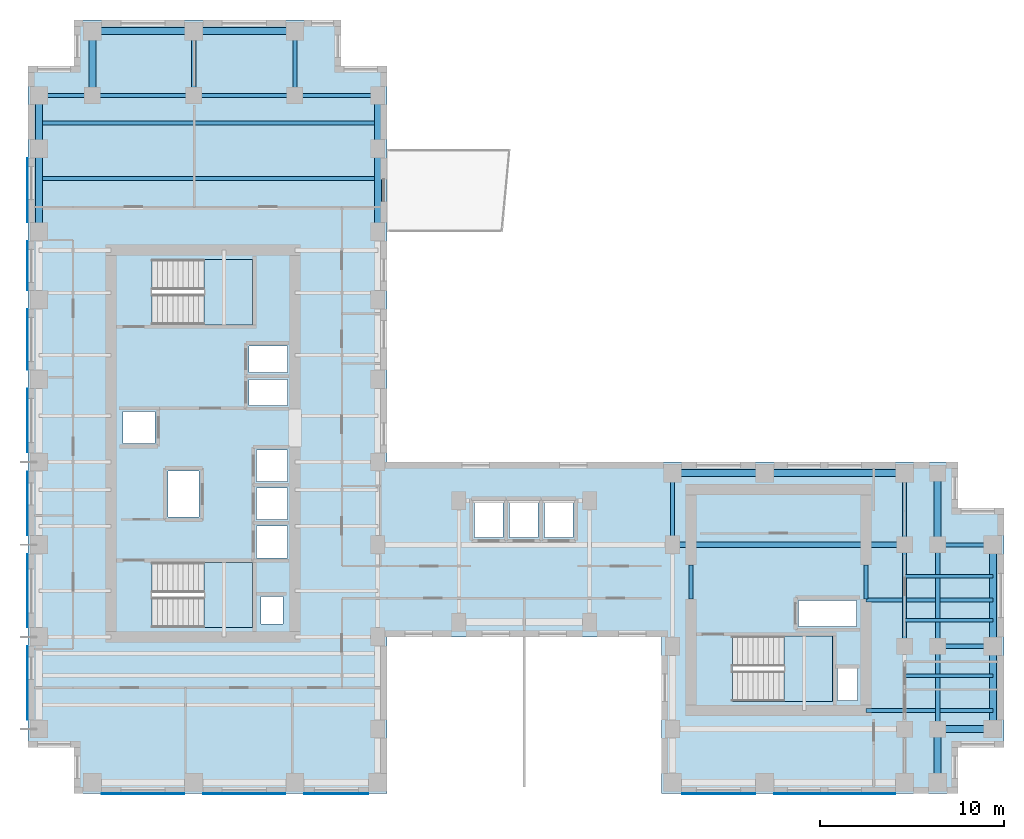
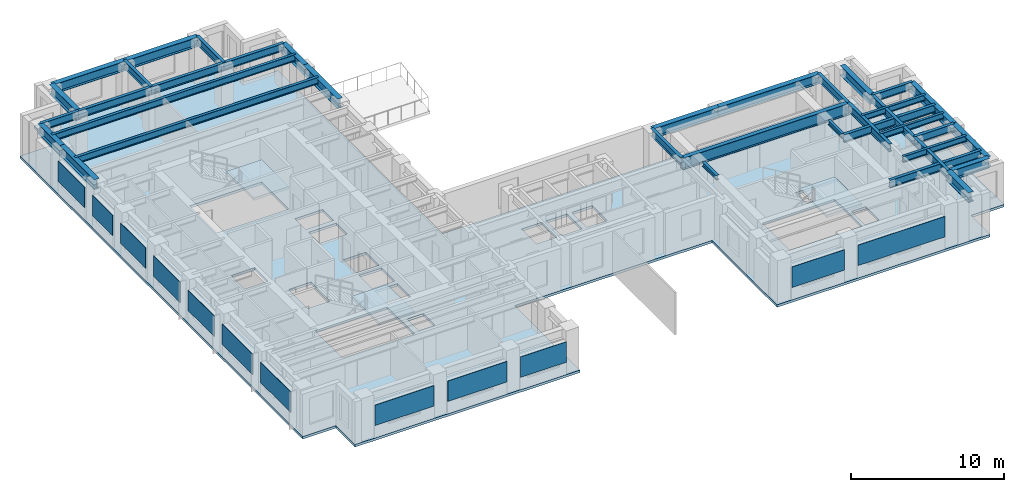
# One storey, part 2 of 10: 37 beams, 12 plates, 4 slabs, 3 elements without a shape of their own.
"""IFC4 building model written with IfcOpenShell, lengths in metres."""

from ifc_helpers import new_model, si_unit, direction, frame, origin, origin_2d, place, context, subcontext, project, spatial, polyline, rectangle, i_section, outline, extrude, source, transform, mapped, material, layer, layer_set, material_profile, profile_set, type_object, element, aggregate, save


model = new_model("IFC4")

# Units and contexts
model_context = context("Model", 3, precision=1e-05, world=origin(), true_north=direction((0.0, 1.0)))
body_context = subcontext(model_context, "Body", "Model", "MODEL_VIEW")
ifc_project = project(units=[si_unit("LENGTHUNIT", "METRE"), si_unit("AREAUNIT", "SQUARE_METRE"), si_unit("VOLUMEUNIT", "CUBIC_METRE"), si_unit("PLANEANGLEUNIT", "RADIAN"), si_unit("MASSUNIT", "GRAM", prefix="KILO")], contexts=[model_context])

# Site, building, storey
site_placement = place(None, origin())
site = spatial("IfcSite", under=ifc_project, at=site_placement, CompositionType="ELEMENT")
building_placement = place(site_placement, origin())
building = spatial("IfcBuilding", under=site, at=building_placement, Name="Kharzan Plaza Tower", CompositionType="ELEMENT")
storey_placement = place(building_placement, frame((0.0, 0.0, 157.5)))
storey = spatial("IfcBuildingStorey", under=building, at=storey_placement, Name="L42", CompositionType="ELEMENT", Elevation=157.5)

# Beams
ifc_material_1 = material(Name="Steel S355", Category="steel")
ifc_material_profile_1 = material_profile(ifc_material_1, i_section(OverallWidth=0.205078125, OverallDepth=0.35400390625, WebThickness=0.009521484375, FlangeThickness=0.016845703125, at=origin_2d()), Name="W360x79")
ifc_profile_set_1 = profile_set([ifc_material_profile_1], Name="Steel S355")
beam_type_1 = type_object("IfcBeamType", Name="BM-LNT360", PredefinedType="LINTEL", material=ifc_profile_set_1)
shared_shape_1 = source(origin(), body_context, "Body", "SweptSolid", [
    extrude(i_section(OverallWidth=0.205078125, OverallDepth=0.35400390625, WebThickness=0.009521484375, FlangeThickness=0.016845703125, at=origin_2d()), origin(), (0.0, 0.0, 1.0), 1.849853515625),
])
for number, where, z_axis, x_axis, name in (
    (1, (45.5, 10.550048828125, 3.222900390625), (0.0, 1.0, 0.0), (-1.0, 0.0, 0.0), "L42 CORE-B coupling lintel LN1-WE"),
    (2, (36.0, 10.550048828125, 3.222900390625), (0.0, 1.0, 0.0), (-1.0, 0.0, 0.0), "L42 CORE-B coupling lintel LN1-WW"),
):
    element("IfcBeam", number, at=place(storey_placement, frame(where, z_axis=z_axis, x_axis=x_axis)), inside=storey, type_object=beam_type_1, Name=name, PredefinedType="LINTEL", context=body_context, shape_type="MappedRepresentation", body=[
        mapped(shared_shape_1, transform((0.0, 0.0, 0.0), x_axis=(1.0, 0.0, 0.0), y_axis=(0.0, 1.0, 0.0), z_axis=(0.0, 0.0, 1.0))),
    ])
ifc_material_profile_2 = material_profile(ifc_material_1, i_section(OverallWidth=0.304931640625, OverallDepth=0.9189453125, WebThickness=0.017333984375, FlangeThickness=0.02783203125, at=origin_2d()), Name="W920x253")
ifc_profile_set_2 = profile_set([ifc_material_profile_2], Name="Steel S355")
beam_type_2 = type_object("IfcBeamType", Name="BM-FG920B", PredefinedType="BEAM", material=ifc_profile_set_2)
shared_shape_2 = source(origin(), body_context, "Body", "SweptSolid", [
    extrude(i_section(OverallWidth=0.304931640625, OverallDepth=0.9189453125, WebThickness=0.017333984375, FlangeThickness=0.02783203125, at=origin_2d()), origin(), (0.0, 0.0, 1.0), 12.60009765625),
])
beam_1_placement = place(storey_placement, frame((35.0, 13.5, 2.9404296875), z_axis=(1.0, 0.0, 0.0), x_axis=(0.0, 1.0, 0.0)))
element("IfcBeam", 3, at=beam_1_placement, inside=storey, type_object=beam_type_2, Name="L42 Primary Floor Girder", PredefinedType="BEAM", context=body_context, shape_type="MappedRepresentation", body=[
    mapped(shared_shape_2, transform((0.0, 0.0, 0.0), x_axis=(1.0, 0.0, 0.0), y_axis=(0.0, 1.0, 0.0), z_axis=(0.0, 0.0, 1.0))),
])
ifc_material_profile_3 = material_profile(ifc_material_1, i_section(OverallWidth=0.2099609375, OverallDepth=0.537109375, WebThickness=0.010986328125, FlangeThickness=0.017333984375, at=origin_2d()), Name="W530x101")
ifc_profile_set_3 = profile_set([ifc_material_profile_3], Name="Steel S355")
beam_type_3 = type_object("IfcBeamType", Name="BM-JST530B", PredefinedType="JOIST", material=ifc_profile_set_3)
shared_shape_3 = source(origin(), body_context, "Body", "SweptSolid", [
    extrude(i_section(OverallWidth=0.2099609375, OverallDepth=0.537109375, WebThickness=0.010986328125, FlangeThickness=0.017333984375, at=origin_2d()), origin(), (0.0, 0.0, 1.0), 18.39990234375),
])
for number, where, z_axis, x_axis, name in (
    (4, (0.60009765625, 33.39990234375, 3.131591796875), (1.0, 0.0, 0.0), (0.0, 1.0, 0.0), "L42 Wing A Composite Joist 05"),
    (5, (0.60009765625, 36.39990234375, 3.131591796875), (1.0, 0.0, 0.0), (0.0, 1.0, 0.0), "L42 Wing A Composite Joist 06"),
):
    element("IfcBeam", number, at=place(storey_placement, frame(where, z_axis=z_axis, x_axis=x_axis)), inside=storey, type_object=beam_type_3, Name=name, PredefinedType="JOIST", context=body_context, shape_type="MappedRepresentation", body=[
        mapped(shared_shape_3, transform((0.0, 0.0, 0.0), x_axis=(1.0, 0.0, 0.0), y_axis=(0.0, 1.0, 0.0), z_axis=(0.0, 0.0, 1.0))),
    ])
ifc_material_profile_4 = material_profile(ifc_material_1, i_section(OverallWidth=0.22900390625, OverallDepth=0.612060546875, WebThickness=0.011962890625, FlangeThickness=0.01953125, at=origin_2d()), Name="W610x125")
ifc_profile_set_4 = profile_set([ifc_material_profile_4], Name="Steel S355")
beam_type_4 = type_object("IfcBeamType", Name="BM-FG610B", PredefinedType="BEAM", material=ifc_profile_set_4)
shared_shape_4 = source(origin(), body_context, "Body", "SweptSolid", [
    extrude(i_section(OverallWidth=0.22900390625, OverallDepth=0.612060546875, WebThickness=0.011962890625, FlangeThickness=0.01953125, at=origin_2d()), origin(), (0.0, 0.0, 1.0), 4.5),
])
for number, where, z_axis, x_axis, name in (
    (6, (49.39990234375, 3.5, 3.093994140625), (0.0, 1.0, 0.0), (-1.0, 0.0, 0.0), "L42 Interior Frame Girder"),
    (7, (14.5, 37.89990234375, 3.093994140625), (1.0, 0.0, 0.0), (0.0, 1.0, 0.0), "L42 Primary Floor Girder"),
):
    element("IfcBeam", number, at=place(storey_placement, frame(where, z_axis=z_axis, x_axis=x_axis)), inside=storey, type_object=beam_type_4, Name=name, PredefinedType="BEAM", context=body_context, shape_type="MappedRepresentation", body=[
        mapped(shared_shape_4, transform((0.0, 0.0, 0.0), x_axis=(1.0, 0.0, 0.0), y_axis=(0.0, 1.0, 0.0), z_axis=(0.0, 0.0, 1.0))),
    ])
shared_shape_5 = source(origin(), body_context, "Body", "SweptSolid", [
    extrude(i_section(OverallWidth=0.22900390625, OverallDepth=0.612060546875, WebThickness=0.011962890625, FlangeThickness=0.01953125, at=origin_2d()), origin(), (0.0, 0.0, 1.0), 3.89990234375),
])
for number, where, z_axis, x_axis, name in (
    (8, (35.0, 13.5, 3.093994140625), (0.0, 1.0, 0.0), (-1.0, 0.0, 0.0), "L42 Interior Frame Girder"),
    (9, (47.60009765625, 13.5, 3.093994140625), (0.0, 1.0, 0.0), (-1.0, 0.0, 0.0), "L42 Interior Frame Girder"),
):
    element("IfcBeam", number, at=place(storey_placement, frame(where, z_axis=z_axis, x_axis=x_axis)), inside=storey, type_object=beam_type_4, Name=name, PredefinedType="BEAM", context=body_context, shape_type="MappedRepresentation", body=[
        mapped(shared_shape_5, transform((0.0, 0.0, 0.0), x_axis=(1.0, 0.0, 0.0), y_axis=(0.0, 1.0, 0.0), z_axis=(0.0, 0.0, 1.0))),
    ])
shared_shape_6 = source(origin(), body_context, "Body", "SweptSolid", [
    extrude(i_section(OverallWidth=0.22900390625, OverallDepth=0.612060546875, WebThickness=0.011962890625, FlangeThickness=0.01953125, at=origin_2d()), origin(), (0.0, 0.0, 1.0), 6.89990234375),
])
for number, where, z_axis, x_axis, name in (
    (10, (45.5, 4.5, 3.093994140625), (1.0, 0.0, 0.0), (0.0, 1.0, 0.0), "L42 Core-B East Floor Girder 1"),
    (11, (45.5, 10.5, 3.093994140625), (1.0, 0.0, 0.0), (0.0, 1.0, 0.0), "L42 Core-B East Floor Girder 2"),
):
    element("IfcBeam", number, at=place(storey_placement, frame(where, z_axis=z_axis, x_axis=x_axis)), inside=storey, type_object=beam_type_4, Name=name, PredefinedType="BEAM", context=body_context, shape_type="MappedRepresentation", body=[
        mapped(shared_shape_6, transform((0.0, 0.0, 0.0), x_axis=(1.0, 0.0, 0.0), y_axis=(0.0, 1.0, 0.0), z_axis=(0.0, 0.0, 1.0))),
    ])
shared_shape_7 = source(origin(), body_context, "Body", "SweptSolid", [
    extrude(i_section(OverallWidth=0.22900390625, OverallDepth=0.612060546875, WebThickness=0.011962890625, FlangeThickness=0.01953125, at=origin_2d()), origin(), (0.0, 0.0, 1.0), 3.5),
])
for number, where, z_axis, x_axis, name in (
    (12, (9.0, 37.89990234375, 3.093994140625), (0.0, 1.0, 0.0), (-1.0, 0.0, 0.0), "L42 Interior Frame Girder"),
    (13, (14.5, 37.89990234375, 3.093994140625), (0.0, 1.0, 0.0), (-1.0, 0.0, 0.0), "L42 Interior Frame Girder"),
):
    element("IfcBeam", number, at=place(storey_placement, frame(where, z_axis=z_axis, x_axis=x_axis)), inside=storey, type_object=beam_type_4, Name=name, PredefinedType="BEAM", context=body_context, shape_type="MappedRepresentation", body=[
        mapped(shared_shape_7, transform((0.0, 0.0, 0.0), x_axis=(1.0, 0.0, 0.0), y_axis=(0.0, 1.0, 0.0), z_axis=(0.0, 0.0, 1.0))),
    ])
shared_shape_8 = source(origin(), body_context, "Body", "SweptSolid", [
    extrude(i_section(OverallWidth=0.22900390625, OverallDepth=0.612060546875, WebThickness=0.011962890625, FlangeThickness=0.01953125, at=origin_2d()), origin(), (0.0, 0.0, 1.0), 5.5),
])
for number, where, z_axis, x_axis, name in (
    (14, (47.60009765625, 8.0, 3.093994140625), (0.0, 1.0, 0.0), (-1.0, 0.0, 0.0), "L42 Interior Frame Girder"),
    (15, (49.39990234375, 8.0, 3.093994140625), (0.0, 1.0, 0.0), (-1.0, 0.0, 0.0), "L42 Interior Frame Girder"),
    (16, (3.5, 37.89990234375, 3.093994140625), (1.0, 0.0, 0.0), (0.0, 1.0, 0.0), "L42 Primary Floor Girder"),
    (17, (9.0, 37.89990234375, 3.093994140625), (1.0, 0.0, 0.0), (0.0, 1.0, 0.0), "L42 Primary Floor Girder"),
):
    element("IfcBeam", number, at=place(storey_placement, frame(where, z_axis=z_axis, x_axis=x_axis)), inside=storey, type_object=beam_type_4, Name=name, PredefinedType="BEAM", context=body_context, shape_type="MappedRepresentation", body=[
        mapped(shared_shape_8, transform((0.0, 0.0, 0.0), x_axis=(1.0, 0.0, 0.0), y_axis=(0.0, 1.0, 0.0), z_axis=(0.0, 0.0, 1.0))),
    ])
shared_shape_9 = source(origin(), body_context, "Body", "SweptSolid", [
    extrude(i_section(OverallWidth=0.22900390625, OverallDepth=0.612060546875, WebThickness=0.011962890625, FlangeThickness=0.01953125, at=origin_2d()), origin(), (0.0, 0.0, 1.0), 2.89990234375),
])
beam_2_placement = place(storey_placement, frame((0.60009765625, 37.89990234375, 3.093994140625), z_axis=(1.0, 0.0, 0.0), x_axis=(0.0, 1.0, 0.0)))
element("IfcBeam", 18, at=beam_2_placement, inside=storey, type_object=beam_type_4, Name="L42 Primary Floor Girder", PredefinedType="BEAM", context=body_context, shape_type="MappedRepresentation", body=[
    mapped(shared_shape_9, transform((0.0, 0.0, 0.0), x_axis=(1.0, 0.0, 0.0), y_axis=(0.0, 1.0, 0.0), z_axis=(0.0, 0.0, 1.0))),
])
shared_shape_10 = source(origin(), body_context, "Body", "SweptSolid", [
    extrude(i_section(OverallWidth=0.22900390625, OverallDepth=0.612060546875, WebThickness=0.011962890625, FlangeThickness=0.01953125, at=origin_2d()), origin(), (0.0, 0.0, 1.0), 3.0),
])
for number, where, z_axis, x_axis, name in (
    (19, (49.39990234375, 8.0, 3.093994140625), (1.0, 0.0, 0.0), (0.0, 1.0, 0.0), "L42 Primary Floor Girder"),
    (20, (49.39990234375, 13.5, 3.093994140625), (1.0, 0.0, 0.0), (0.0, 1.0, 0.0), "L42 Primary Floor Girder"),
):
    element("IfcBeam", number, at=place(storey_placement, frame(where, z_axis=z_axis, x_axis=x_axis)), inside=storey, type_object=beam_type_4, Name=name, PredefinedType="BEAM", context=body_context, shape_type="MappedRepresentation", body=[
        mapped(shared_shape_10, transform((0.0, 0.0, 0.0), x_axis=(1.0, 0.0, 0.0), y_axis=(0.0, 1.0, 0.0), z_axis=(0.0, 0.0, 1.0))),
    ])
ifc_material_profile_5 = material_profile(ifc_material_1, i_section(OverallWidth=0.194091796875, OverallDepth=0.468994140625, WebThickness=0.011474609375, FlangeThickness=0.0205078125, at=origin_2d()), Name="W460x106")
ifc_profile_set_5 = profile_set([ifc_material_profile_5], Name="Steel S355")
beam_type_5 = type_object("IfcBeamType", Name="BM-JST460", PredefinedType="JOIST", material=ifc_profile_set_5)
shared_shape_11 = source(origin(), body_context, "Body", "SweptSolid", [
    extrude(i_section(OverallWidth=0.194091796875, OverallDepth=0.468994140625, WebThickness=0.011474609375, FlangeThickness=0.0205078125, at=origin_2d()), origin(), (0.0, 0.0, 1.0), 4.7998046875),
])
for number, where, z_axis, x_axis, name in (
    (21, (47.60009765625, 6.39990234375, 3.16552734375), (1.0, 0.0, 0.0), (0.0, 1.0, 0.0), "L42 Wing B Composite Joist 02"),
    (22, (47.60009765625, 9.39990234375, 3.16552734375), (1.0, 0.0, 0.0), (0.0, 1.0, 0.0), "L42 Wing B Composite Joist 03"),
    (23, (47.60009765625, 11.800048828125, 3.16552734375), (1.0, 0.0, 0.0), (0.0, 1.0, 0.0), "L42 Wing B Composite Joist 04"),
):
    element("IfcBeam", number, at=place(storey_placement, frame(where, z_axis=z_axis, x_axis=x_axis)), inside=storey, type_object=beam_type_5, Name=name, PredefinedType="JOIST", context=body_context, shape_type="MappedRepresentation", body=[
        mapped(shared_shape_11, transform((0.0, 0.0, 0.0), x_axis=(1.0, 0.0, 0.0), y_axis=(0.0, 1.0, 0.0), z_axis=(0.0, 0.0, 1.0))),
    ])
ifc_material_profile_6 = material_profile(ifc_material_1, i_section(OverallWidth=0.381103515625, OverallDepth=0.77294921875, WebThickness=0.0166015625, FlangeThickness=0.027587890625, at=origin_2d()), Name="W760x257")
ifc_profile_set_6 = profile_set([ifc_material_profile_6], Name="Steel S355")
beam_type_6 = type_object("IfcBeamType", Name="BM-SP760A", PredefinedType="SPANDREL", material=ifc_profile_set_6)
shared_shape_12 = source(origin(), body_context, "Body", "SweptSolid", [
    extrude(i_section(OverallWidth=0.381103515625, OverallDepth=0.77294921875, WebThickness=0.0166015625, FlangeThickness=0.027587890625, at=origin_2d()), origin(), (0.0, 0.0, 1.0), 5.0),
])
beam_3_placement = place(storey_placement, frame((35.0, 17.39990234375, 3.013427734375), z_axis=(1.0, 0.0, 0.0), x_axis=(0.0, 1.0, 0.0)))
element("IfcBeam", 24, at=beam_3_placement, inside=storey, type_object=beam_type_6, Name="L42 Perimeter Tube Spandrel", PredefinedType="SPANDREL", context=body_context, shape_type="MappedRepresentation", body=[
    mapped(shared_shape_12, transform((0.0, 0.0, 0.0), x_axis=(1.0, 0.0, 0.0), y_axis=(0.0, 1.0, 0.0), z_axis=(0.0, 0.0, 1.0))),
])
shared_shape_13 = source(origin(), body_context, "Body", "SweptSolid", [
    extrude(i_section(OverallWidth=0.381103515625, OverallDepth=0.77294921875, WebThickness=0.0166015625, FlangeThickness=0.027587890625, at=origin_2d()), origin(), (0.0, 0.0, 1.0), 4.5),
])
for number, where, z_axis, x_axis, name in (
    (25, (0.60009765625, 30.5, 3.013427734375), (0.0, 1.0, 0.0), (-1.0, 0.0, 0.0), "L42 Perimeter Tube Spandrel"),
    (26, (19.0, 30.5, 3.013427734375), (0.0, 1.0, 0.0), (-1.0, 0.0, 0.0), "L42 Perimeter Tube Spandrel"),
    (27, (52.39990234375, 3.5, 3.013427734375), (0.0, 1.0, 0.0), (-1.0, 0.0, 0.0), "L42 Perimeter Tube Spandrel"),
):
    element("IfcBeam", number, at=place(storey_placement, frame(where, z_axis=z_axis, x_axis=x_axis)), inside=storey, type_object=beam_type_6, Name=name, PredefinedType="SPANDREL", context=body_context, shape_type="MappedRepresentation", body=[
        mapped(shared_shape_13, transform((0.0, 0.0, 0.0), x_axis=(1.0, 0.0, 0.0), y_axis=(0.0, 1.0, 0.0), z_axis=(0.0, 0.0, 1.0))),
    ])
shared_shape_14 = source(origin(), body_context, "Body", "SweptSolid", [
    extrude(i_section(OverallWidth=0.381103515625, OverallDepth=0.77294921875, WebThickness=0.0166015625, FlangeThickness=0.027587890625, at=origin_2d()), origin(), (0.0, 0.0, 1.0), 2.89990234375),
])
for number, where, z_axis, x_axis, name in (
    (28, (0.60009765625, 35.0, 3.013427734375), (0.0, 1.0, 0.0), (-1.0, 0.0, 0.0), "L42 Perimeter Tube Spandrel"),
    (29, (19.0, 35.0, 3.013427734375), (0.0, 1.0, 0.0), (-1.0, 0.0, 0.0), "L42 Perimeter Tube Spandrel"),
    (30, (49.39990234375, 0.60009765625, 3.013427734375), (0.0, 1.0, 0.0), (-1.0, 0.0, 0.0), "L42 Perimeter Tube Spandrel"),
):
    element("IfcBeam", number, at=place(storey_placement, frame(where, z_axis=z_axis, x_axis=x_axis)), inside=storey, type_object=beam_type_6, Name=name, PredefinedType="SPANDREL", context=body_context, shape_type="MappedRepresentation", body=[
        mapped(shared_shape_14, transform((0.0, 0.0, 0.0), x_axis=(1.0, 0.0, 0.0), y_axis=(0.0, 1.0, 0.0), z_axis=(0.0, 0.0, 1.0))),
    ])
shared_shape_15 = source(origin(), body_context, "Body", "SweptSolid", [
    extrude(i_section(OverallWidth=0.381103515625, OverallDepth=0.77294921875, WebThickness=0.0166015625, FlangeThickness=0.027587890625, at=origin_2d()), origin(), (0.0, 0.0, 1.0), 3.5),
])
beam_4_placement = place(storey_placement, frame((3.5, 37.89990234375, 3.013427734375), z_axis=(0.0, 1.0, 0.0), x_axis=(-1.0, 0.0, 0.0)))
element("IfcBeam", 31, at=beam_4_placement, inside=storey, type_object=beam_type_6, Name="L42 Perimeter Tube Spandrel", PredefinedType="SPANDREL", context=body_context, shape_type="MappedRepresentation", body=[
    mapped(shared_shape_15, transform((0.0, 0.0, 0.0), x_axis=(1.0, 0.0, 0.0), y_axis=(0.0, 1.0, 0.0), z_axis=(0.0, 0.0, 1.0))),
])
shared_shape_16 = source(origin(), body_context, "Body", "SweptSolid", [
    extrude(i_section(OverallWidth=0.381103515625, OverallDepth=0.77294921875, WebThickness=0.0166015625, FlangeThickness=0.027587890625, at=origin_2d()), origin(), (0.0, 0.0, 1.0), 3.89990234375),
])
beam_5_placement = place(storey_placement, frame((49.39990234375, 13.5, 3.013427734375), z_axis=(0.0, 1.0, 0.0), x_axis=(-1.0, 0.0, 0.0)))
element("IfcBeam", 32, at=beam_5_placement, inside=storey, type_object=beam_type_6, Name="L42 Perimeter Tube Spandrel", PredefinedType="SPANDREL", context=body_context, shape_type="MappedRepresentation", body=[
    mapped(shared_shape_16, transform((0.0, 0.0, 0.0), x_axis=(1.0, 0.0, 0.0), y_axis=(0.0, 1.0, 0.0), z_axis=(0.0, 0.0, 1.0))),
])
shared_shape_17 = source(origin(), body_context, "Body", "SweptSolid", [
    extrude(i_section(OverallWidth=0.381103515625, OverallDepth=0.77294921875, WebThickness=0.0166015625, FlangeThickness=0.027587890625, at=origin_2d()), origin(), (0.0, 0.0, 1.0), 5.5),
])
for number, where, z_axis, x_axis, name in (
    (33, (52.39990234375, 8.0, 3.013427734375), (0.0, 1.0, 0.0), (-1.0, 0.0, 0.0), "L42 Perimeter Tube Spandrel"),
    (34, (3.5, 41.39990234375, 3.013427734375), (1.0, 0.0, 0.0), (0.0, 1.0, 0.0), "L42 Perimeter Tube Spandrel"),
    (35, (9.0, 41.39990234375, 3.013427734375), (1.0, 0.0, 0.0), (0.0, 1.0, 0.0), "L42 Perimeter Tube Spandrel"),
):
    element("IfcBeam", number, at=place(storey_placement, frame(where, z_axis=z_axis, x_axis=x_axis)), inside=storey, type_object=beam_type_6, Name=name, PredefinedType="SPANDREL", context=body_context, shape_type="MappedRepresentation", body=[
        mapped(shared_shape_17, transform((0.0, 0.0, 0.0), x_axis=(1.0, 0.0, 0.0), y_axis=(0.0, 1.0, 0.0), z_axis=(0.0, 0.0, 1.0))),
    ])
shared_shape_18 = source(origin(), body_context, "Body", "SweptSolid", [
    extrude(i_section(OverallWidth=0.381103515625, OverallDepth=0.77294921875, WebThickness=0.0166015625, FlangeThickness=0.027587890625, at=origin_2d()), origin(), (0.0, 0.0, 1.0), 7.60009765625),
])
beam_6_placement = place(storey_placement, frame((40.0, 17.39990234375, 3.013427734375), z_axis=(1.0, 0.0, 0.0), x_axis=(0.0, 1.0, 0.0)))
element("IfcBeam", 36, at=beam_6_placement, inside=storey, type_object=beam_type_6, Name="L42 Perimeter Tube Spandrel", PredefinedType="SPANDREL", context=body_context, shape_type="MappedRepresentation", body=[
    mapped(shared_shape_18, transform((0.0, 0.0, 0.0), x_axis=(1.0, 0.0, 0.0), y_axis=(0.0, 1.0, 0.0), z_axis=(0.0, 0.0, 1.0))),
])
shared_shape_19 = source(origin(), body_context, "Body", "SweptSolid", [
    extrude(i_section(OverallWidth=0.381103515625, OverallDepth=0.77294921875, WebThickness=0.0166015625, FlangeThickness=0.027587890625, at=origin_2d()), origin(), (0.0, 0.0, 1.0), 3.0),
])
beam_7_placement = place(storey_placement, frame((49.39990234375, 3.5, 3.013427734375), z_axis=(1.0, 0.0, 0.0), x_axis=(0.0, 1.0, 0.0)))
element("IfcBeam", 37, at=beam_7_placement, inside=storey, type_object=beam_type_6, Name="L42 Perimeter Tube Spandrel", PredefinedType="SPANDREL", context=body_context, shape_type="MappedRepresentation", body=[
    mapped(shared_shape_19, transform((0.0, 0.0, 0.0), x_axis=(1.0, 0.0, 0.0), y_axis=(0.0, 1.0, 0.0), z_axis=(0.0, 0.0, 1.0))),
])

# Slab
ifc_material_2 = material(Name="Concrete C40/50", Category="concrete")
ifc_layer_1 = layer(ifc_material_2, 0.199951171875)
ifc_layer_set_1 = layer_set([ifc_layer_1], Name="Concrete C40/50")
slab_type_1 = type_object("IfcSlabType", Name="SL-FLOOR-200", PredefinedType="FLOOR", material=ifc_layer_set_1)
slab_1_placement = place(storey_placement, frame((0.0, 0.0, -0.199951171875)))
element("IfcSlab", 38, at=slab_1_placement, inside=storey, type_object=slab_type_1, Name="L42 Composite Structural Floor Slab 200 mm", PredefinedType="FLOOR", context=body_context, shape_type="SweptSolid", body=[
    extrude(outline(polyline([(34.39990234375, 18.0), (19.5, 18.0), (19.5, 39.5), (17.0, 39.5), (17.0, 42.0), (2.5, 42.0), (2.5, 39.5), (0.0, 39.5), (0.0, 2.5), (2.5, 2.5), (2.5, 0.0), (19.5, 0.0), (19.5, 8.5), (34.39990234375, 8.5), (34.39990234375, 0.0), (50.5, 0.0), (50.5, 2.5), (53.0, 2.5), (53.0, 15.5), (50.5, 15.5), (50.5, 18.0), (34.39990234375, 18.0)]), holes=[polyline([(12.199951171875, 9.0), (12.199951171875, 12.550048828125), (6.75, 12.550048828125), (6.75, 9.0), (12.199951171875, 9.0)]), polyline([(14.10009765625, 12.800048828125), (14.10009765625, 14.530029296875), (12.39990234375, 14.530029296875), (12.39990234375, 12.800048828125), (14.10009765625, 12.800048828125)]), polyline([(14.10009765625, 14.8701171875), (14.10009765625, 16.60009765625), (12.39990234375, 16.60009765625), (12.39990234375, 14.8701171875), (14.10009765625, 14.8701171875)]), polyline([(9.300048828125, 15.0), (9.300048828125, 17.5), (7.60009765625, 17.5), (7.60009765625, 15.0), (9.300048828125, 15.0)]), polyline([(6.89990234375, 19.010009765625), (6.89990234375, 20.72998046875), (5.14990234375, 20.72998046875), (5.14990234375, 19.010009765625), (6.89990234375, 19.010009765625)]), polyline([(14.10009765625, 21.070068359375), (14.10009765625, 22.489990234375), (12.0, 22.489990234375), (12.0, 21.070068359375), (14.10009765625, 21.070068359375)]), polyline([(14.10009765625, 22.8701171875), (14.10009765625, 24.2900390625), (12.0, 24.2900390625), (12.0, 22.8701171875), (14.10009765625, 22.8701171875)]), polyline([(12.199951171875, 25.449951171875), (12.199951171875, 29.0), (6.75, 29.0), (6.75, 25.449951171875), (12.199951171875, 25.449951171875)]), polyline([(45.050048828125, 5.050048828125), (45.050048828125, 6.800048828125), (43.949951171875, 6.800048828125), (43.949951171875, 5.050048828125), (45.050048828125, 5.050048828125)]), polyline([(43.699951171875, 5.0), (43.699951171875, 8.550048828125), (38.25, 8.550048828125), (38.25, 5.0), (43.699951171875, 5.0)]), polyline([(45.0, 9.070068359375), (45.0, 10.469970703125), (41.85009765625, 10.469970703125), (41.85009765625, 9.070068359375), (45.0, 9.070068359375)]), polyline([(13.85009765625, 9.199951171875), (13.85009765625, 10.699951171875), (12.64990234375, 10.699951171875), (12.64990234375, 9.199951171875), (13.85009765625, 9.199951171875)]), polyline([(25.800048828125, 13.89990234375), (25.800048828125, 15.85009765625), (24.25, 15.85009765625), (24.25, 13.89990234375), (25.800048828125, 13.89990234375)]), polyline([(27.699951171875, 13.89990234375), (27.699951171875, 15.85009765625), (26.14990234375, 15.85009765625), (26.14990234375, 13.89990234375), (27.699951171875, 13.89990234375)]), polyline([(29.60009765625, 13.89990234375), (29.60009765625, 15.85009765625), (28.050048828125, 15.85009765625), (28.050048828125, 13.89990234375), (29.60009765625, 13.89990234375)]), polyline([(14.10009765625, 16.93994140625), (14.10009765625, 18.64990234375), (12.39990234375, 18.64990234375), (12.39990234375, 16.93994140625), (14.10009765625, 16.93994140625)])]), origin(), (0.0, 0.0, 1.0), 0.199951171875),
])

# Stair, slab
stair_type_1 = type_object("IfcStairType", Name="STR-ST-1", PredefinedType="HALF_TURN_STAIR", material=ifc_material_2)
stair_1_placement = place(storey_placement, origin())
stair_1 = element("IfcStair", 39, at=stair_1_placement, inside=storey, type_object=stair_type_1, Name="L42 Protected Exit Stair ST-1", PredefinedType="HALF_TURN_STAIR")
ifc_layer_2 = layer(ifc_material_2, 0.219970703125)
ifc_layer_set_2 = layer_set([ifc_layer_2], Name="Concrete C40/50")
slab_type_2 = type_object("IfcSlabType", Name="SL-LANDING-220", PredefinedType="LANDING", material=ifc_layer_set_2)
slab_2_placement = place(storey_placement, frame((0.0, 0.0, 1.60009765625)))
slab_2 = element("IfcSlab", 40, at=slab_2_placement, type_object=slab_type_2, Name="ST-1 landing 1", PredefinedType="LANDING", context=body_context, shape_type="SweptSolid", body=[
    extrude(outline(polyline([(9.550048828125, 9.0), (12.199951171875, 9.0), (12.199951171875, 12.550048828125), (9.550048828125, 12.550048828125), (9.550048828125, 9.0)])), origin(), (0.0, 0.0, 1.0), 0.199951171875),
])
aggregate(stair_1, [slab_2])

stair_type_2 = type_object("IfcStairType", Name="STR-ST-2", PredefinedType="HALF_TURN_STAIR", material=ifc_material_2)
stair_2_placement = place(storey_placement, origin())
stair_2 = element("IfcStair", 41, at=stair_2_placement, inside=storey, type_object=stair_type_2, Name="L42 Protected Exit Stair ST-2", PredefinedType="HALF_TURN_STAIR")
slab_3_placement = place(storey_placement, frame((0.0, 0.0, 1.60009765625)))
slab_3 = element("IfcSlab", 42, at=slab_3_placement, type_object=slab_type_2, Name="ST-2 landing 1", PredefinedType="LANDING", context=body_context, shape_type="SweptSolid", body=[
    extrude(outline(polyline([(9.550048828125, 25.449951171875), (12.199951171875, 25.449951171875), (12.199951171875, 29.0), (9.550048828125, 29.0), (9.550048828125, 25.449951171875)])), origin(), (0.0, 0.0, 1.0), 0.199951171875),
])
aggregate(stair_2, [slab_3])

stair_type_3 = type_object("IfcStairType", Name="STR-ST-3", PredefinedType="HALF_TURN_STAIR", material=ifc_material_2)
stair_3_placement = place(storey_placement, origin())
stair_3 = element("IfcStair", 43, at=stair_3_placement, inside=storey, type_object=stair_type_3, Name="L42 Protected Exit Stair ST-3", PredefinedType="HALF_TURN_STAIR")
slab_4_placement = place(storey_placement, frame((0.0, 0.0, 1.60009765625)))
slab_4 = element("IfcSlab", 44, at=slab_4_placement, type_object=slab_type_2, Name="ST-3 landing 1", PredefinedType="LANDING", context=body_context, shape_type="SweptSolid", body=[
    extrude(outline(polyline([(41.050048828125, 5.0), (43.699951171875, 5.0), (43.699951171875, 8.550048828125), (41.050048828125, 8.550048828125), (41.050048828125, 5.0)])), origin(), (0.0, 0.0, 1.0), 0.199951171875),
])
aggregate(stair_3, [slab_4])

# Plates
ifc_material_3 = material(Name="Perforated Bronze-Anodized Aluminium", Category="aluminium")
ifc_layer_3 = layer(ifc_material_3, 0.030029296875)
ifc_layer_set_3 = layer_set([ifc_layer_3], Name="Perforated Bronze-Anodized Aluminium")
plate_type = type_object("IfcPlateType", Name="PLT-MASH-SCREEN", PredefinedType="SHEET", material=ifc_layer_set_3)
shared_shape_20 = source(origin(), body_context, "Body", "SweptSolid", [
    extrude(rectangle(XDim=3.464111328125, YDim=0.030029296875, at=origin_2d()), origin(), (0.0, 0.0, 1.0), 1.632080078125),
])
for number, where, z_axis, x_axis, name in (
    (45, (-0.012939453125, 32.75, 1.01416015625), (0.0, 0.0, 1.0), (0.0, -1.0, 0.0), "L42 Perforated Mashrabiya Solar Screen"),
    (46, (-0.012939453125, 20.25, 1.01416015625), (0.0, 0.0, 1.0), (0.0, -1.0, 0.0), "L42 Perforated Mashrabiya Solar Screen"),
    (47, (-0.012939453125, 15.75, 1.01416015625), (0.0, 0.0, 1.0), (0.0, -1.0, 0.0), "L42 Perforated Mashrabiya Solar Screen"),
    (48, (16.75, -0.012939453125, 1.01416015625), (0.0, 0.0, 1.0), (1.0, 0.0, 0.0), "L42 Perforated Mashrabiya Solar Screen"),
):
    element("IfcPlate", number, at=place(storey_placement, frame(where, z_axis=z_axis, x_axis=x_axis)), inside=storey, type_object=plate_type, Name=name, PredefinedType="SHEET", context=body_context, shape_type="MappedRepresentation", body=[
        mapped(shared_shape_20, transform((0.0, 0.0, 0.0), x_axis=(1.0, 0.0, 0.0), y_axis=(0.0, 1.0, 0.0), z_axis=(0.0, 0.0, 1.0))),
    ])
shared_shape_21 = source(origin(), body_context, "Body", "SweptSolid", [
    extrude(rectangle(XDim=2.6640625, YDim=0.030029296875, at=origin_2d()), origin(), (0.0, 0.0, 1.0), 1.632080078125),
])
plate_1_placement = place(storey_placement, frame((-0.012939453125, 28.64990234375, 1.01416015625), z_axis=(0.0, 0.0, 1.0), x_axis=(0.0, -1.0, 0.0)))
element("IfcPlate", 49, at=plate_1_placement, inside=storey, type_object=plate_type, Name="L42 Perforated Mashrabiya Solar Screen", PredefinedType="SHEET", context=body_context, shape_type="MappedRepresentation", body=[
    mapped(shared_shape_21, transform((0.0, 0.0, 0.0), x_axis=(1.0, 0.0, 0.0), y_axis=(0.0, 1.0, 0.0), z_axis=(0.0, 0.0, 1.0))),
])
shared_shape_22 = source(origin(), body_context, "Body", "SweptSolid", [
    extrude(rectangle(XDim=3.263916015625, YDim=0.030029296875, at=origin_2d()), origin(), (0.0, 0.0, 1.0), 1.632080078125),
])
plate_2_placement = place(storey_placement, frame((-0.012939453125, 24.64990234375, 1.01416015625), z_axis=(0.0, 0.0, 1.0), x_axis=(0.0, -1.0, 0.0)))
element("IfcPlate", 50, at=plate_2_placement, inside=storey, type_object=plate_type, Name="L42 Perforated Mashrabiya Solar Screen", PredefinedType="SHEET", context=body_context, shape_type="MappedRepresentation", body=[
    mapped(shared_shape_22, transform((0.0, 0.0, 0.0), x_axis=(1.0, 0.0, 0.0), y_axis=(0.0, 1.0, 0.0), z_axis=(0.0, 0.0, 1.0))),
])
shared_shape_23 = source(origin(), body_context, "Body", "SweptSolid", [
    extrude(rectangle(XDim=3.964111328125, YDim=0.030029296875, at=origin_2d()), origin(), (0.0, 0.0, 1.0), 1.632080078125),
])
for number, where, z_axis, x_axis, name in (
    (51, (-0.012939453125, 11.0, 1.01416015625), (0.0, 0.0, 1.0), (0.0, -1.0, 0.0), "L42 Perforated Mashrabiya Solar Screen"),
    (52, (-0.012939453125, 6.0, 1.01416015625), (0.0, 0.0, 1.0), (0.0, -1.0, 0.0), "L42 Perforated Mashrabiya Solar Screen"),
    (53, (37.5, -0.012939453125, 1.01416015625), (0.0, 0.0, 1.0), (1.0, 0.0, 0.0), "L42 Perforated Mashrabiya Solar Screen"),
):
    element("IfcPlate", number, at=place(storey_placement, frame(where, z_axis=z_axis, x_axis=x_axis)), inside=storey, type_object=plate_type, Name=name, PredefinedType="SHEET", context=body_context, shape_type="MappedRepresentation", body=[
        mapped(shared_shape_23, transform((0.0, 0.0, 0.0), x_axis=(1.0, 0.0, 0.0), y_axis=(0.0, 1.0, 0.0), z_axis=(0.0, 0.0, 1.0))),
    ])
shared_shape_24 = source(origin(), body_context, "Body", "SweptSolid", [
    extrude(rectangle(XDim=4.464111328125, YDim=0.030029296875, at=origin_2d()), origin(), (0.0, 0.0, 1.0), 1.632080078125),
])
for number, where, z_axis, x_axis, name in (
    (54, (6.25, -0.012939453125, 1.01416015625), (0.0, 0.0, 1.0), (1.0, 0.0, 0.0), "L42 Perforated Mashrabiya Solar Screen"),
    (55, (11.75, -0.012939453125, 1.01416015625), (0.0, 0.0, 1.0), (1.0, 0.0, 0.0), "L42 Perforated Mashrabiya Solar Screen"),
):
    element("IfcPlate", number, at=place(storey_placement, frame(where, z_axis=z_axis, x_axis=x_axis)), inside=storey, type_object=plate_type, Name=name, PredefinedType="SHEET", context=body_context, shape_type="MappedRepresentation", body=[
        mapped(shared_shape_24, transform((0.0, 0.0, 0.0), x_axis=(1.0, 0.0, 0.0), y_axis=(0.0, 1.0, 0.0), z_axis=(0.0, 0.0, 1.0))),
    ])
shared_shape_25 = source(origin(), body_context, "Body", "SweptSolid", [
    extrude(rectangle(XDim=6.56396484375, YDim=0.030029296875, at=origin_2d()), origin(), (0.0, 0.0, 1.0), 1.632080078125),
])
plate_3_placement = place(storey_placement, frame((43.800048828125, -0.012939453125, 1.01416015625), z_axis=(0.0, 0.0, 1.0), x_axis=(1.0, 0.0, 0.0)))
element("IfcPlate", 56, at=plate_3_placement, inside=storey, type_object=plate_type, Name="L42 Perforated Mashrabiya Solar Screen", PredefinedType="SHEET", context=body_context, shape_type="MappedRepresentation", body=[
    mapped(shared_shape_25, transform((0.0, 0.0, 0.0), x_axis=(1.0, 0.0, 0.0), y_axis=(0.0, 1.0, 0.0), z_axis=(0.0, 0.0, 1.0))),
])

save(model, "model.ifc")
